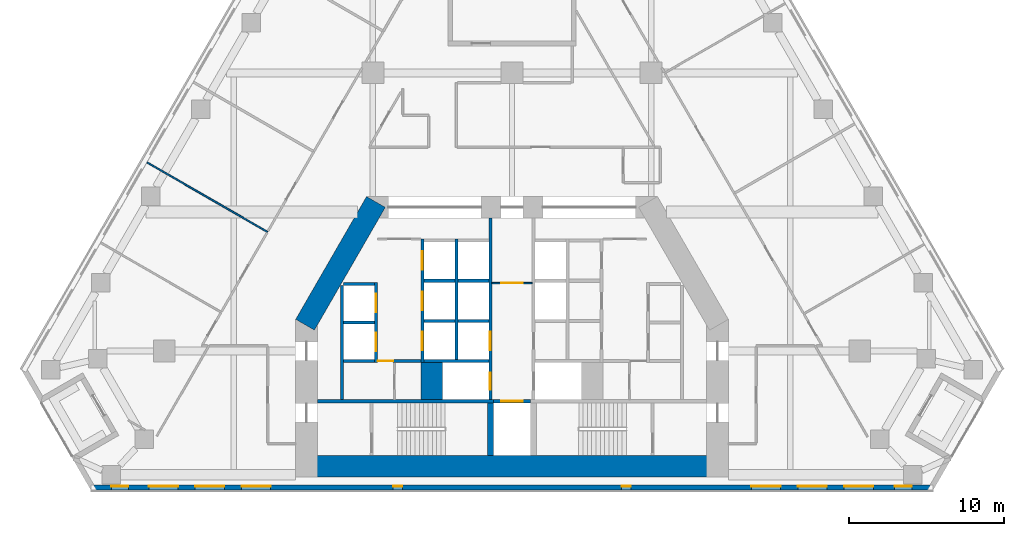
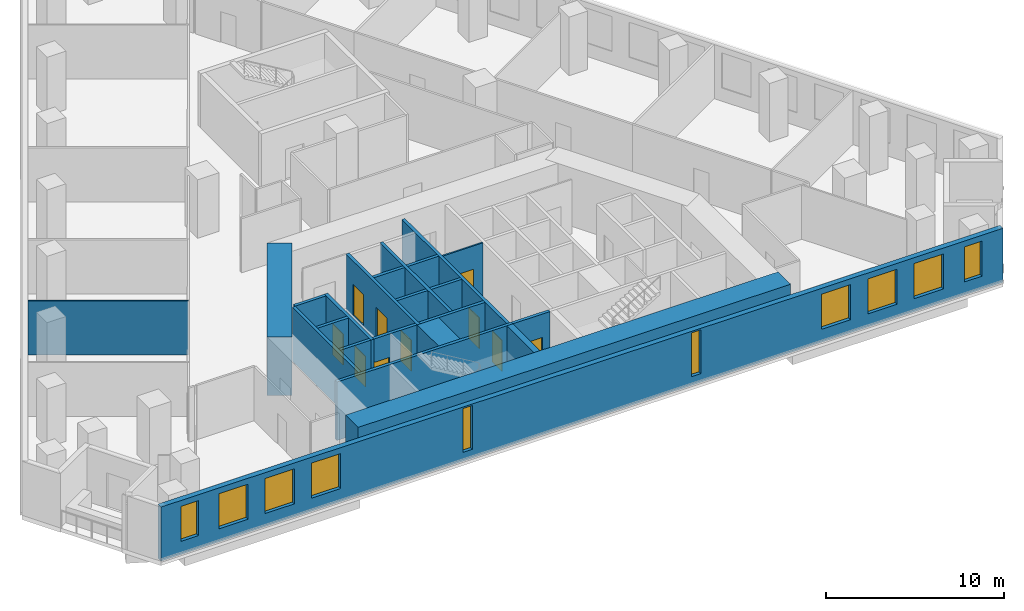
# One storey, part 4 of 11: 23 walls, 10 doors, 10 windows, 20 openings.
"""IFC4 building model written with IfcOpenShell, lengths in metres."""

import ifcopenshell
import ifcopenshell.guid

model = None  # the IFC model being written
_history = None  # IfcOwnerHistory: only IFC2X3 demands one
_inside = {}  # id of a spatial element -> (the spatial element, [elements in it])
_under = {}  # id of a project, library or spatial element -> (it, [spatial elements below it])
_declared = {}  # id of a project -> (the project, [libraries it declares])
_typed = {}  # id of a type object -> (the type object, [elements of that type])
_made_of = {}  # id of a material, layer set ... -> (it, [elements and type objects made of it])


def new_model(schema):
    """Start an empty IFC model of exactly this schema.

    Asked for "IFC4X3", IfcOpenShell would pick the latest addendum, in which some entities
    have other attributes; the version numbers below select the first issue.
    IFC2X3 requires an IfcOwnerHistory on every rooted entity: one is made here for all.
    """
    global model, _history
    if schema == "IFC4X3":
        model = ifcopenshell.file(schema_version=(4, 3, 0, 0))
    else:
        model = ifcopenshell.file(schema=schema)
    _inside.clear()
    _under.clear()
    _declared.clear()
    _typed.clear()
    _made_of.clear()
    _history = None
    if model.schema == "IFC2X3":
        org = make("IfcOrganization", Name="unknown")
        user = make(
            "IfcPersonAndOrganization",
            ThePerson=make("IfcPerson", FamilyName="unknown"),
            TheOrganization=org,
        )
        app = make(
            "IfcApplication",
            ApplicationDeveloper=org,
            Version="unknown",
            ApplicationFullName="unknown",
            ApplicationIdentifier="unknown",
        )
        _history = make(
            "IfcOwnerHistory",
            OwningUser=user,
            OwningApplication=app,
            ChangeAction="ADDED",
            CreationDate=0,
        )
    return model


def make(cls, **values):
    """One entity of the class cls with the attributes given. An attribute that is None is left unset."""
    return model.create_entity(
        cls, **{name: value for name, value in values.items() if value is not None}
    )


def rooted(cls, **values):
    """An entity with a GlobalId (a new one), such as an element, a storey or a relation."""
    return make(cls, GlobalId=ifcopenshell.guid.new(), OwnerHistory=_history, **values)


def si_unit(unit_type, name, prefix=None):
    """IfcSIUnit, for example si_unit("LENGTHUNIT", "METRE", prefix="MILLI")."""
    return make("IfcSIUnit", UnitType=unit_type, Prefix=prefix, Name=name)


def assignment(units):
    """IfcUnitAssignment: the units of a project."""
    return None if units is None else make("IfcUnitAssignment", Units=units)


def point(xyz):
    """IfcCartesianPoint."""
    return None if xyz is None else make("IfcCartesianPoint", Coordinates=xyz)


def direction(xyz):
    """IfcDirection."""
    return None if xyz is None else make("IfcDirection", DirectionRatios=xyz)


def frame(location, z_axis=None, x_axis=None):
    """IfcAxis2Placement3D, a coordinate frame: its origin and axes. An axis left out is left unset."""
    return make(
        "IfcAxis2Placement3D",
        Location=point(location),
        Axis=direction(z_axis),
        RefDirection=direction(x_axis),
    )


def frame_2d(location, x_axis=None):
    """IfcAxis2Placement2D, a coordinate frame in the plane: its origin and x axis."""
    return make(
        "IfcAxis2Placement2D", Location=point(location), RefDirection=direction(x_axis)
    )


def origin():
    """The frame at (0, 0, 0) with its axes left unset."""
    return frame((0.0, 0.0, 0.0))


def place(relative_to, where):
    """IfcLocalPlacement: puts the frame where relative to a parent placement (None: the world)."""
    return make(
        "IfcLocalPlacement", PlacementRelTo=relative_to, RelativePlacement=where
    )


def context(
    kind, dimensions, precision=None, world=None, true_north=None, identifier=None
):
    """IfcGeometricRepresentationContext, for example the 3D "Model" context."""
    return make(
        "IfcGeometricRepresentationContext",
        ContextIdentifier=identifier,
        ContextType=kind,
        CoordinateSpaceDimension=dimensions,
        Precision=precision,
        WorldCoordinateSystem=world,
        TrueNorth=true_north,
    )


def subcontext(parent, identifier, kind, view, scale=None):
    """IfcGeometricRepresentationSubContext, for example "Body" below "Model"."""
    return make(
        "IfcGeometricRepresentationSubContext",
        ContextIdentifier=identifier,
        ContextType=kind,
        ParentContext=parent,
        TargetScale=scale,
        TargetView=view,
    )


def project(units=None, contexts=None):
    """IfcProject with its units and contexts."""
    return rooted(
        "IfcProject",
        Name="project",
        RepresentationContexts=contexts,
        UnitsInContext=assignment(units),
    )


def spatial(cls, under=None, at=None, **own):
    """A site, building, storey or space (cls), placed at a placement, below another one or the project."""
    s = rooted(cls, ObjectPlacement=at, **own)
    if under is not None:
        _under.setdefault(under.id(), (under, []))[1].append(s)
    return s


def profile(cls, at=None, kind="AREA", **sizes):
    """A parametric profile (cls). Its sizes go by their IFC names, for example OverallWidth=200.0."""
    return make(cls, ProfileType=kind, Position=at, **sizes)


def rectangle(**sizes):
    """IfcRectangleProfileDef."""
    return profile("IfcRectangleProfileDef", **sizes)


def extrude(swept, where, along, depth):
    """IfcExtrudedAreaSolid: the profile swept, set in the frame where, extruded along a direction by depth."""
    return make(
        "IfcExtrudedAreaSolid",
        SweptArea=swept,
        Position=where,
        ExtrudedDirection=direction(along),
        Depth=depth,
    )


def shape(context_of_items, identifier, shape_type, items):
    """IfcShapeRepresentation: the items that make up one representation, for example the "Body"."""
    return make(
        "IfcShapeRepresentation",
        ContextOfItems=context_of_items,
        RepresentationIdentifier=identifier,
        RepresentationType=shape_type,
        Items=items,
    )


def material(Name=None, Category=None):
    """IfcMaterial."""
    return make("IfcMaterial", Name=Name, Category=Category)


def layer(
    of_material, thickness, ventilated=None, Name=None, Category=None, Priority=None
):
    """IfcMaterialLayer: one layer of a wall or slab, of a material (None: an air gap)."""
    return make(
        "IfcMaterialLayer",
        Material=of_material,
        LayerThickness=thickness,
        IsVentilated=ventilated,
        Name=Name,
        Category=Category,
        Priority=Priority,
    )


def layer_set(layers, Name=None):
    """IfcMaterialLayerSet."""
    return make("IfcMaterialLayerSet", MaterialLayers=layers, LayerSetName=Name)


def made_of(thing, what):
    """Note that an element or type object is made of a material, layer set ...; save() writes the relation."""
    if what is not None:
        _made_of.setdefault(what.id(), (what, []))[1].append(thing)
    return thing


def type_object(cls, material=None, **own):
    """A type object (cls), such as IfcWallType, which elements share."""
    return made_of(rooted(cls, **own), material)


def element(
    cls,
    number,
    at=None,
    inside=None,
    cuts=None,
    type_object=None,
    material=None,
    context=None,
    identifier="Body",
    shape_type=None,
    held_by="IfcProductDefinitionShape",
    body=None,
    shapes=None,
    **own,
):
    """One element of the class cls, such as IfcWall. Its Tag is "e" and its number.

    at: its placement. inside: the storey or other place that contains it. cuts: it is an
    opening in that element (IfcRelVoidsElement). A single representation is given by context,
    identifier, shape_type and body (its items); several are given by shapes. held_by: the class
    of the entity that holds the representations. save() writes the other relations.
    """
    e = rooted(cls, Tag="e%d" % number, ObjectPlacement=at, **own)
    if body is not None:
        shapes = [shape(context, identifier, shape_type, body)]
    if shapes is not None:
        e.Representation = make(held_by, Representations=shapes)
    if inside is not None:
        _inside.setdefault(inside.id(), (inside, []))[1].append(e)
    if cuts is not None:
        rooted(
            "IfcRelVoidsElement", RelatingBuildingElement=cuts, RelatedOpeningElement=e
        )
    if type_object is not None:
        _typed.setdefault(type_object.id(), (type_object, []))[1].append(e)
    return made_of(e, material)


def fill(opening, filler):
    """IfcRelFillsElement: the door or window that sits in an opening."""
    return rooted(
        "IfcRelFillsElement",
        RelatingOpeningElement=opening,
        RelatedBuildingElement=filler,
    )


def aggregate(whole, parts):
    """IfcRelAggregates: a whole, such as a stair, and the parts it consists of."""
    return rooted("IfcRelAggregates", RelatingObject=whole, RelatedObjects=parts)


def save(model, path):
    """Write the relations noted so far, then the file.

    IfcRelAggregates (storeys below a building ...), IfcRelContainedInSpatialStructure (elements
    in a storey), IfcRelDefinesByType, IfcRelAssociatesMaterial and IfcRelDeclares: one each for
    every whole, place, type object, material and project.
    """
    for whole, parts in _under.values():
        aggregate(whole, parts)
    for where, things in _inside.values():
        rooted(
            "IfcRelContainedInSpatialStructure",
            RelatedElements=things,
            RelatingStructure=where,
        )
    for kind, things in _typed.values():
        rooted("IfcRelDefinesByType", RelatedObjects=things, RelatingType=kind)
    for what, things in _made_of.values():
        rooted("IfcRelAssociatesMaterial", RelatedObjects=things, RelatingMaterial=what)
    for by, libraries in _declared.values():
        rooted("IfcRelDeclares", RelatingContext=by, RelatedDefinitions=libraries)
    model.write(path)


model = new_model("IFC4")

# Units and contexts
model_context = context("Model", 3, precision=1e-05, world=origin(), true_north=direction((0.0, 1.0)))
body_context = subcontext(model_context, "Body", "Model", "MODEL_VIEW")
ifc_project = project(units=[si_unit("LENGTHUNIT", "METRE"), si_unit("AREAUNIT", "SQUARE_METRE"), si_unit("VOLUMEUNIT", "CUBIC_METRE"), si_unit("PLANEANGLEUNIT", "RADIAN"), si_unit("MASSUNIT", "GRAM", prefix="KILO")], contexts=[model_context])

# Site, building, storey
site_placement = place(None, origin())
site = spatial("IfcSite", under=ifc_project, at=site_placement, CompositionType="ELEMENT")
building_placement = place(site_placement, origin())
building = spatial("IfcBuilding", under=site, at=building_placement, Name="Fogline Exchange Tower", CompositionType="ELEMENT")
storey_placement = place(building_placement, frame((0.0, 0.0, 60.89990234375)))
storey = spatial("IfcBuildingStorey", under=building, at=storey_placement, Name="L12", CompositionType="ELEMENT", Elevation=60.89990234375)

# Wall, opening, door
ifc_material_1 = material(Name="Blockwork partition", Category="masonry")
ifc_layer_1 = layer(ifc_material_1, 0.10009765625)
ifc_layer_set_1 = layer_set([ifc_layer_1], Name="CW10")
wall_type_1 = type_object("IfcWallType", Name="CW10", PredefinedType="PARTITIONING", material=ifc_layer_set_1)
wall_1_placement = place(storey_placement, frame((-1.300048828125, 13.39990234375, 0.0), z_axis=(0.0, 0.0, 1.0), x_axis=(1.0, 0.0, 0.0)))
wall_1 = element("IfcWall", 1, at=wall_1_placement, inside=storey, type_object=wall_type_1, Name="Lift lobby partition", PredefinedType="PARTITIONING", context=body_context, shape_type="SweptSolid", body=[
    extrude(rectangle(XDim=2.60009765625, YDim=0.10009765625, at=frame_2d((1.300048828125, 0.0))), origin(), (0.0, 0.0, 1.0), 3.7001953125),
])
opening_1_placement = place(wall_1_placement, frame((0.60009765625, 0.0, 0.0)))
opening_1 = element("IfcOpeningElement", 2, at=opening_1_placement, cuts=wall_1, Name="Opening T03-C019", PredefinedType="OPENING", context=body_context, shape_type="SweptSolid", body=[
    extrude(rectangle(XDim=1.39990234375, YDim=2.10009765625, at=frame_2d((0.699951171875, 1.050048828125))), frame((0.0, 0.06005859375, 0.0), z_axis=(0.0, -1.0, 0.0), x_axis=(1.0, 0.0, 0.0)), (0.0, 0.0, 1.0), 0.1201171875),
])
ifc_material_2 = material(Name="Steel and timber fire door", Category="steel")
door_type_1 = type_object("IfcDoorType", Name="D-LB1", OperationType="DOUBLE_DOOR_SINGLE_SWING", PredefinedType="DOOR", material=ifc_material_2)
door_1_placement = place(opening_1_placement, origin())
door_1 = element("IfcDoor", 3, at=door_1_placement, inside=storey, type_object=door_type_1, Name="Door to firefighting lift lobby", OperationType="DOUBLE_DOOR_SINGLE_SWING", OverallHeight=2.10009765625, OverallWidth=1.39990234375, PredefinedType="DOOR", context=body_context, shape_type="SweptSolid", body=[
    extrude(rectangle(XDim=1.39990234375, YDim=2.10009765625, at=frame_2d((0.699951171875, 1.050048828125))), frame((0.0, 0.02490234375, 0.0), z_axis=(0.0, -1.0, 0.0), x_axis=(1.0, 0.0, 0.0)), (0.0, 0.0, 1.0), 0.050048828125),
])
fill(opening_1, door_1)

# Walls
ifc_material_3 = material(Name="Concrete C60", Category="concrete")
ifc_layer_2 = layer(ifc_material_3, 1.39990234375)
ifc_layer_set_2 = layer_set([ifc_layer_2], Name="CW140")
wall_type_2 = type_object("IfcWallType", Name="CW140", PredefinedType="SOLIDWALL", material=ifc_layer_set_2)
wall_2_placement = place(storey_placement, frame((-5.199951171875, 5.85009765625, -0.2998046875), z_axis=(0.0, 0.0, 1.0), x_axis=(0.0, 1.0, 0.0)))
element("IfcWall", 4, at=wall_2_placement, inside=storey, type_object=wall_type_2, Name="Lift shaft block wall", PredefinedType="SOLIDWALL", context=body_context, shape_type="SweptSolid", body=[
    extrude(rectangle(XDim=2.39990234375, YDim=1.39990234375, at=frame_2d((1.199951171875, 0.0))), origin(), (0.0, 0.0, 1.0), 4.0),
])
ifc_material_4 = material(Name="Concrete C40", Category="concrete")
ifc_layer_3 = layer(ifc_material_4, 0.199951171875)
ifc_layer_set_3 = layer_set([ifc_layer_3], Name="CW20")
wall_type_3 = type_object("IfcWallType", Name="CW20", PredefinedType="SOLIDWALL", material=ifc_layer_set_3)
wall_3_placement = place(storey_placement, frame((-11.0, 5.85009765625, 0.0), z_axis=(0.0, 0.0, 1.0), x_axis=(0.0, 1.0, 0.0)))
element("IfcWall", 5, at=wall_3_placement, inside=storey, type_object=wall_type_3, Name="Service room wall", PredefinedType="SOLIDWALL", context=body_context, shape_type="SweptSolid", body=[
    extrude(rectangle(XDim=7.39990234375, YDim=0.199951171875, at=frame_2d((3.699951171875, 0.0))), origin(), (0.0, 0.0, 1.0), 3.7001953125),
])

# Wall, opening, door
wall_4_placement = place(storey_placement, frame((-8.699951171875, 8.35009765625, 0.0), z_axis=(0.0, 0.0, 1.0), x_axis=(1.0, 0.0, 0.0)))
wall_4 = element("IfcWall", 6, at=wall_4_placement, inside=storey, type_object=wall_type_3, Name="WC wall", PredefinedType="SOLIDWALL", context=body_context, shape_type="SweptSolid", body=[
    extrude(rectangle(XDim=2.800048828125, YDim=0.199951171875, at=frame_2d((1.39990234375, 0.0))), origin(), (0.0, 0.0, 1.0), 3.7001953125),
])
opening_2_placement = place(wall_4_placement, origin())
opening_2 = element("IfcOpeningElement", 7, at=opening_2_placement, cuts=wall_4, Name="Opening T03-C008", PredefinedType="OPENING", context=body_context, shape_type="SweptSolid", body=[
    extrude(rectangle(XDim=1.0, YDim=2.10009765625, at=frame_2d((0.5, 1.050048828125))), frame((0.0, 0.10986328125, 0.0), z_axis=(0.0, -1.0, 0.0), x_axis=(1.0, 0.0, 0.0)), (0.0, 0.0, 1.0), 0.219970703125),
])
door_type_2 = type_object("IfcDoorType", Name="D-WC1", OperationType="SINGLE_SWING_LEFT", PredefinedType="DOOR", material=ifc_material_2)
door_2_placement = place(opening_2_placement, frame((1.0, 0.0, 0.0), z_axis=(0.0, 0.0, 1.0), x_axis=(-1.0, 0.0, 0.0)))
door_2 = element("IfcDoor", 8, at=door_2_placement, inside=storey, type_object=door_type_2, Name="Door to Men's WC", OperationType="SINGLE_SWING_LEFT", OverallHeight=2.10009765625, OverallWidth=1.0, PredefinedType="DOOR", context=body_context, shape_type="SweptSolid", body=[
    extrude(rectangle(XDim=1.0, YDim=2.10009765625, at=frame_2d((0.5, 1.050048828125))), frame((0.0, 0.02490234375, 0.0), z_axis=(0.0, -1.0, 0.0), x_axis=(1.0, 0.0, 0.0)), (0.0, 0.0, 1.0), 0.050048828125),
])
fill(opening_2, door_2)

# Wall
ifc_layer_4 = layer(ifc_material_4, 0.199951171875)
ifc_layer_set_4 = layer_set([ifc_layer_4], Name="CW20R")
wall_type_4 = type_object("IfcWallType", Name="CW20R", PredefinedType="SOLIDWALL", material=ifc_layer_set_4)
wall_5_placement = place(storey_placement, frame((-12.60009765625, 5.75, -0.2998046875), z_axis=(0.0, 0.0, 1.0), x_axis=(1.0, 0.0, 0.0)))
element("IfcWall", 9, at=wall_5_placement, inside=storey, type_object=wall_type_4, Name="Stair enclosure wall", PredefinedType="SOLIDWALL", context=body_context, shape_type="SweptSolid", body=[
    extrude(rectangle(XDim=11.400146484375, YDim=0.199951171875, at=frame_2d((5.7001953125, 0.0))), origin(), (0.0, 0.0, 1.0), 4.0),
])

# Wall, opening, door
wall_6_placement = place(storey_placement, frame((-1.199951171875, 5.75, -0.2998046875), z_axis=(0.0, 0.0, 1.0), x_axis=(1.0, 0.0, 0.0)))
wall_6 = element("IfcWall", 10, at=wall_6_placement, inside=storey, type_object=wall_type_4, Name="Stair enclosure wall", PredefinedType="SOLIDWALL", context=body_context, shape_type="SweptSolid", body=[
    extrude(rectangle(XDim=2.39990234375, YDim=0.199951171875, at=frame_2d((1.199951171875, 0.0))), origin(), (0.0, 0.0, 1.0), 4.0),
])
opening_3_placement = place(wall_6_placement, frame((0.5, 0.0, 0.300048828125)))
opening_3 = element("IfcOpeningElement", 11, at=opening_3_placement, cuts=wall_6, Name="Opening T03-LD09", PredefinedType="OPENING", context=body_context, shape_type="SweptSolid", body=[
    extrude(rectangle(XDim=1.39990234375, YDim=2.10009765625, at=frame_2d((0.699951171875, 1.050048828125))), frame((0.0, 0.10986328125, 0.0), z_axis=(0.0, -1.0, 0.0), x_axis=(1.0, 0.0, 0.0)), (0.0, 0.0, 1.0), 0.219970703125),
])
door_type_3 = type_object("IfcDoorType", Name="LD3", OperationType="SLIDING_TO_LEFT", PredefinedType="DOOR", material=ifc_material_2)
door_3_placement = place(opening_3_placement, origin())
door_3 = element("IfcDoor", 12, at=door_3_placement, inside=storey, type_object=door_type_3, Name="Landing door GL1", OperationType="SLIDING_TO_LEFT", OverallHeight=2.10009765625, OverallWidth=1.39990234375, PredefinedType="DOOR", context=body_context, shape_type="SweptSolid", body=[
    extrude(rectangle(XDim=1.39990234375, YDim=2.10009765625, at=frame_2d((0.699951171875, 1.050048828125))), frame((0.0, 0.02490234375, 0.0), z_axis=(0.0, -1.0, 0.0), x_axis=(1.0, 0.0, 0.0)), (0.0, 0.0, 1.0), 0.050048828125),
])
fill(opening_3, door_3)

# Wall, openings, doors
ifc_layer_5 = layer(ifc_material_4, 0.199951171875)
ifc_layer_set_5 = layer_set([ifc_layer_5], Name="CW20S")
wall_type_5 = type_object("IfcWallType", Name="CW20S", PredefinedType="SOLIDWALL", material=ifc_layer_set_5)
wall_7_placement = place(storey_placement, frame((-8.800048828125, 8.25, -0.2998046875), z_axis=(0.0, 0.0, 1.0), x_axis=(0.0, 1.0, 0.0)))
wall_7 = element("IfcWall", 13, at=wall_7_placement, inside=storey, type_object=wall_type_5, Name="Lift shaft wall", PredefinedType="SOLIDWALL", context=body_context, shape_type="SweptSolid", body=[
    extrude(rectangle(XDim=5.199951171875, YDim=0.199951171875, at=frame_2d((2.60009765625, 0.0))), origin(), (0.0, 0.0, 1.0), 4.0),
])
opening_4_placement = place(wall_7_placement, frame((0.75, 0.0, 0.300048828125)))
opening_4 = element("IfcOpeningElement", 14, at=opening_4_placement, cuts=wall_7, Name="Opening T03-LD01", PredefinedType="OPENING", context=body_context, shape_type="SweptSolid", body=[
    extrude(rectangle(XDim=1.199951171875, YDim=2.10009765625, at=frame_2d((0.60009765625, 1.050048828125))), frame((0.0, 0.10986328125, 0.0), z_axis=(0.0, -1.0, 0.0), x_axis=(1.0, 0.0, 0.0)), (0.0, 0.0, 1.0), 0.219970703125),
])
opening_5_placement = place(wall_7_placement, frame((3.25, 0.0, 0.300048828125)))
opening_5 = element("IfcOpeningElement", 15, at=opening_5_placement, cuts=wall_7, Name="Opening T03-LD02", PredefinedType="OPENING", context=body_context, shape_type="SweptSolid", body=[
    extrude(rectangle(XDim=1.199951171875, YDim=2.10009765625, at=frame_2d((0.60009765625, 1.050048828125))), frame((0.0, 0.10986328125, 0.0), z_axis=(0.0, -1.0, 0.0), x_axis=(1.0, 0.0, 0.0)), (0.0, 0.0, 1.0), 0.219970703125),
])
door_type_4 = type_object("IfcDoorType", Name="LD1", OperationType="SLIDING_TO_LEFT", PredefinedType="DOOR", material=ifc_material_2)
door_4_placement = place(opening_4_placement, origin())
door_4 = element("IfcDoor", 16, at=door_4_placement, inside=storey, type_object=door_type_4, Name="Landing door LR1", OperationType="SLIDING_TO_LEFT", OverallHeight=2.10009765625, OverallWidth=1.199951171875, PredefinedType="DOOR", context=body_context, shape_type="SweptSolid", body=[
    extrude(rectangle(XDim=1.199951171875, YDim=2.10009765625, at=frame_2d((0.60009765625, 1.050048828125))), frame((0.0, 0.02490234375, 0.0), z_axis=(0.0, -1.0, 0.0), x_axis=(1.0, 0.0, 0.0)), (0.0, 0.0, 1.0), 0.050048828125),
])
fill(opening_4, door_4)
door_5_placement = place(opening_5_placement, origin())
door_5 = element("IfcDoor", 17, at=door_5_placement, inside=storey, type_object=door_type_4, Name="Landing door LR2", OperationType="SLIDING_TO_LEFT", OverallHeight=2.10009765625, OverallWidth=1.199951171875, PredefinedType="DOOR", context=body_context, shape_type="SweptSolid", body=[
    extrude(rectangle(XDim=1.199951171875, YDim=2.10009765625, at=frame_2d((0.60009765625, 1.050048828125))), frame((0.0, 0.02490234375, 0.0), z_axis=(0.0, -1.0, 0.0), x_axis=(1.0, 0.0, 0.0)), (0.0, 0.0, 1.0), 0.050048828125),
])
fill(opening_5, door_5)

wall_8_placement = place(storey_placement, frame((-5.800048828125, 8.25, -0.2998046875), z_axis=(0.0, 0.0, 1.0), x_axis=(0.0, 1.0, 0.0)))
wall_8 = element("IfcWall", 18, at=wall_8_placement, inside=storey, type_object=wall_type_5, Name="Lift shaft wall", PredefinedType="SOLIDWALL", context=body_context, shape_type="SweptSolid", body=[
    extrude(rectangle(XDim=8.0, YDim=0.199951171875, at=frame_2d((4.0, 0.0))), origin(), (0.0, 0.0, 1.0), 4.0),
])
opening_6_placement = place(wall_8_placement, frame((0.800048828125, 0.0, 0.300048828125)))
opening_6 = element("IfcOpeningElement", 19, at=opening_6_placement, cuts=wall_8, Name="Opening T03-LD03", PredefinedType="OPENING", context=body_context, shape_type="SweptSolid", body=[
    extrude(rectangle(XDim=1.199951171875, YDim=2.10009765625, at=frame_2d((0.60009765625, 1.050048828125))), frame((0.0, 0.10986328125, 0.0), z_axis=(0.0, -1.0, 0.0), x_axis=(1.0, 0.0, 0.0)), (0.0, 0.0, 1.0), 0.219970703125),
])
opening_7_placement = place(wall_8_placement, frame((3.39990234375, 0.0, 0.300048828125)))
opening_7 = element("IfcOpeningElement", 20, at=opening_7_placement, cuts=wall_8, Name="Opening T03-LD04", PredefinedType="OPENING", context=body_context, shape_type="SweptSolid", body=[
    extrude(rectangle(XDim=1.199951171875, YDim=2.10009765625, at=frame_2d((0.60009765625, 1.050048828125))), frame((0.0, 0.10986328125, 0.0), z_axis=(0.0, -1.0, 0.0), x_axis=(1.0, 0.0, 0.0)), (0.0, 0.0, 1.0), 0.219970703125),
])
opening_8_placement = place(wall_8_placement, frame((6.0, 0.0, 0.300048828125)))
opening_8 = element("IfcOpeningElement", 21, at=opening_8_placement, cuts=wall_8, Name="Opening T03-LD05", PredefinedType="OPENING", context=body_context, shape_type="SweptSolid", body=[
    extrude(rectangle(XDim=1.199951171875, YDim=2.10009765625, at=frame_2d((0.60009765625, 1.050048828125))), frame((0.0, 0.10986328125, 0.0), z_axis=(0.0, -1.0, 0.0), x_axis=(1.0, 0.0, 0.0)), (0.0, 0.0, 1.0), 0.219970703125),
])
door_6_placement = place(opening_6_placement, origin())
door_6 = element("IfcDoor", 22, at=door_6_placement, inside=storey, type_object=door_type_4, Name="Landing door LR3", OperationType="SLIDING_TO_LEFT", OverallHeight=2.10009765625, OverallWidth=1.199951171875, PredefinedType="DOOR", context=body_context, shape_type="SweptSolid", body=[
    extrude(rectangle(XDim=1.199951171875, YDim=2.10009765625, at=frame_2d((0.60009765625, 1.050048828125))), frame((0.0, 0.02490234375, 0.0), z_axis=(0.0, -1.0, 0.0), x_axis=(1.0, 0.0, 0.0)), (0.0, 0.0, 1.0), 0.050048828125),
])
fill(opening_6, door_6)
door_7_placement = place(opening_7_placement, origin())
door_7 = element("IfcDoor", 23, at=door_7_placement, inside=storey, type_object=door_type_4, Name="Landing door LR4", OperationType="SLIDING_TO_LEFT", OverallHeight=2.10009765625, OverallWidth=1.199951171875, PredefinedType="DOOR", context=body_context, shape_type="SweptSolid", body=[
    extrude(rectangle(XDim=1.199951171875, YDim=2.10009765625, at=frame_2d((0.60009765625, 1.050048828125))), frame((0.0, 0.02490234375, 0.0), z_axis=(0.0, -1.0, 0.0), x_axis=(1.0, 0.0, 0.0)), (0.0, 0.0, 1.0), 0.050048828125),
])
fill(opening_7, door_7)
door_8_placement = place(opening_8_placement, origin())
door_8 = element("IfcDoor", 24, at=door_8_placement, inside=storey, type_object=door_type_4, Name="Landing door LR5", OperationType="SLIDING_TO_LEFT", OverallHeight=2.10009765625, OverallWidth=1.199951171875, PredefinedType="DOOR", context=body_context, shape_type="SweptSolid", body=[
    extrude(rectangle(XDim=1.199951171875, YDim=2.10009765625, at=frame_2d((0.60009765625, 1.050048828125))), frame((0.0, 0.02490234375, 0.0), z_axis=(0.0, -1.0, 0.0), x_axis=(1.0, 0.0, 0.0)), (0.0, 0.0, 1.0), 0.050048828125),
])
fill(opening_8, door_8)

# Wall
wall_9_placement = place(storey_placement, frame((-3.60009765625, 8.449951171875, -0.2998046875), z_axis=(0.0, 0.0, 1.0), x_axis=(0.0, 1.0, 0.0)))
element("IfcWall", 25, at=wall_9_placement, inside=storey, type_object=wall_type_5, Name="Lift shaft wall", PredefinedType="SOLIDWALL", context=body_context, shape_type="SweptSolid", body=[
    extrude(rectangle(XDim=7.800048828125, YDim=0.199951171875, at=frame_2d((3.89990234375, 0.0))), origin(), (0.0, 0.0, 1.0), 4.0),
])

# Wall, openings, doors
wall_10_placement = place(storey_placement, frame((-1.39990234375, 5.85009765625, -0.2998046875), z_axis=(0.0, 0.0, 1.0), x_axis=(0.0, 1.0, 0.0)))
wall_10 = element("IfcWall", 26, at=wall_10_placement, inside=storey, type_object=wall_type_5, Name="Lift lobby wall", PredefinedType="SOLIDWALL", context=body_context, shape_type="SweptSolid", body=[
    extrude(rectangle(XDim=11.75, YDim=0.199951171875, at=frame_2d((5.875, 0.0))), origin(), (0.0, 0.0, 1.0), 4.0),
])
opening_9_placement = place(wall_10_placement, frame((3.199951171875, 0.0, 0.300048828125)))
opening_9 = element("IfcOpeningElement", 27, at=opening_9_placement, cuts=wall_10, Name="Opening T03-LD06", PredefinedType="OPENING", context=body_context, shape_type="SweptSolid", body=[
    extrude(rectangle(XDim=1.199951171875, YDim=2.10009765625, at=frame_2d((0.60009765625, 1.050048828125))), frame((0.0, 0.10986328125, 0.0), z_axis=(0.0, -1.0, 0.0), x_axis=(1.0, 0.0, 0.0)), (0.0, 0.0, 1.0), 0.219970703125),
])
opening_10_placement = place(wall_10_placement, frame((0.64990234375, 0.0, 0.300048828125)))
opening_10 = element("IfcOpeningElement", 28, at=opening_10_placement, cuts=wall_10, Name="Opening T03-LD07", PredefinedType="OPENING", context=body_context, shape_type="SweptSolid", body=[
    extrude(rectangle(XDim=1.10009765625, YDim=2.10009765625, at=frame_2d((0.550048828125, 1.050048828125))), frame((0.0, 0.10986328125, 0.0), z_axis=(0.0, -1.0, 0.0), x_axis=(1.0, 0.0, 0.0)), (0.0, 0.0, 1.0), 0.219970703125),
])
door_9_placement = place(opening_9_placement, origin())
door_9 = element("IfcDoor", 29, at=door_9_placement, inside=storey, type_object=door_type_4, Name="Landing door LR6", OperationType="SLIDING_TO_LEFT", OverallHeight=2.10009765625, OverallWidth=1.199951171875, PredefinedType="DOOR", context=body_context, shape_type="SweptSolid", body=[
    extrude(rectangle(XDim=1.199951171875, YDim=2.10009765625, at=frame_2d((0.60009765625, 1.050048828125))), frame((0.0, 0.02490234375, 0.0), z_axis=(0.0, -1.0, 0.0), x_axis=(1.0, 0.0, 0.0)), (0.0, 0.0, 1.0), 0.050048828125),
])
fill(opening_9, door_9)
door_type_5 = type_object("IfcDoorType", Name="LD2", OperationType="SLIDING_TO_RIGHT", PredefinedType="DOOR", material=ifc_material_2)
door_10_placement = place(opening_10_placement, origin())
door_10 = element("IfcDoor", 30, at=door_10_placement, inside=storey, type_object=door_type_5, Name="Landing door FF1", OperationType="SLIDING_TO_RIGHT", OverallHeight=2.10009765625, OverallWidth=1.10009765625, PredefinedType="DOOR", context=body_context, shape_type="SweptSolid", body=[
    extrude(rectangle(XDim=1.10009765625, YDim=2.10009765625, at=frame_2d((0.550048828125, 1.050048828125))), frame((0.0, 0.02490234375, 0.0), z_axis=(0.0, -1.0, 0.0), x_axis=(1.0, 0.0, 0.0)), (0.0, 0.0, 1.0), 0.050048828125),
])
fill(opening_10, door_10)

# Walls
wall_11_placement = place(storey_placement, frame((-10.89990234375, 8.35009765625, -0.2998046875), z_axis=(0.0, 0.0, 1.0), x_axis=(1.0, 0.0, 0.0)))
element("IfcWall", 31, at=wall_11_placement, inside=storey, type_object=wall_type_5, Name="Lift shaft wall", PredefinedType="SOLIDWALL", context=body_context, shape_type="SweptSolid", body=[
    extrude(rectangle(XDim=2.0, YDim=0.199951171875, at=frame_2d((1.0, 0.0))), origin(), (0.0, 0.0, 1.0), 4.0),
])
wall_12_placement = place(storey_placement, frame((-5.699951171875, 8.35009765625, -0.2998046875), z_axis=(0.0, 0.0, 1.0), x_axis=(1.0, 0.0, 0.0)))
element("IfcWall", 32, at=wall_12_placement, inside=storey, type_object=wall_type_5, Name="Lift shaft wall", PredefinedType="SOLIDWALL", context=body_context, shape_type="SweptSolid", body=[
    extrude(rectangle(XDim=4.199951171875, YDim=0.199951171875, at=frame_2d((2.10009765625, 0.0))), origin(), (0.0, 0.0, 1.0), 4.0),
])
for number, where, z_axis, x_axis, name in (
    (33, (-10.89990234375, 10.85009765625, -0.2998046875), (0.0, 0.0, 1.0), (1.0, 0.0, 0.0), "Lift shaft wall"),
    (34, (-10.89990234375, 13.35009765625, -0.2998046875), (0.0, 0.0, 1.0), (1.0, 0.0, 0.0), "Lift shaft wall"),
    (35, (-5.699951171875, 10.949951171875, -0.2998046875), (0.0, 0.0, 1.0), (1.0, 0.0, 0.0), "Lift shaft wall"),
    (36, (-5.699951171875, 13.550048828125, -0.2998046875), (0.0, 0.0, 1.0), (1.0, 0.0, 0.0), "Lift shaft wall"),
    (37, (-3.5, 10.949951171875, -0.2998046875), (0.0, 0.0, 1.0), (1.0, 0.0, 0.0), "Lift shaft wall"),
    (38, (-3.5, 13.550048828125, -0.2998046875), (0.0, 0.0, 1.0), (1.0, 0.0, 0.0), "Lift shaft wall"),
):
    element("IfcWall", number, at=place(storey_placement, frame(where, z_axis=z_axis, x_axis=x_axis)), inside=storey, type_object=wall_type_5, Name=name, PredefinedType="SOLIDWALL", context=body_context, shape_type="SweptSolid", body=[
        extrude(rectangle(XDim=2.0, YDim=0.199951171875, at=frame_2d((1.0, 0.0))), origin(), (0.0, 0.0, 1.0), 4.0),
    ])
ifc_layer_6 = layer(ifc_material_4, 0.39990234375)
ifc_layer_set_6 = layer_set([ifc_layer_6], Name="CW40R")
wall_type_6 = type_object("IfcWallType", Name="CW40R", PredefinedType="SOLIDWALL", material=ifc_layer_set_6)
wall_13_placement = place(storey_placement, frame((-1.39990234375, 2.25, -0.2998046875), z_axis=(0.0, 0.0, 1.0), x_axis=(0.0, 1.0, 0.0)))
element("IfcWall", 39, at=wall_13_placement, inside=storey, type_object=wall_type_6, Name="Stair and lift shaft wall", PredefinedType="SOLIDWALL", context=body_context, shape_type="SweptSolid", body=[
    extrude(rectangle(XDim=3.39990234375, YDim=0.39990234375, at=frame_2d((1.699951171875, 0.0))), origin(), (0.0, 0.0, 1.0), 4.0),
])

# Wall, openings, windows
ifc_material_5 = material(Name="Brick masonry", Category="masonry")
ifc_layer_7 = layer(ifc_material_5, 0.340087890625)
ifc_layer_set_7 = layer_set([ifc_layer_7], Name="FW1")
wall_type_7 = type_object("IfcWallType", Name="FW1", PredefinedType="SOLIDWALL", material=ifc_layer_set_7)
wall_14_placement = place(storey_placement, frame((-27.255126953125, 0.169921875, 0.0), z_axis=(0.0, 0.0, 1.0), x_axis=(1.0, 0.0, 0.0)))
wall_14 = element("IfcWall", 40, at=wall_14_placement, inside=storey, type_object=wall_type_7, Name="Brick wall L12 S", PredefinedType="SOLIDWALL", context=body_context, shape_type="SweptSolid", body=[
    extrude(rectangle(XDim=54.51025390625, YDim=0.340087890625, at=frame_2d((27.255126953125, 0.0))), origin(), (0.0, 0.0, 1.0), 3.7001953125),
])
opening_11_placement = place(wall_14_placement, frame((3.755126953125, 0.0, 0.89990234375)))
opening_11 = element("IfcOpeningElement", 41, at=opening_11_placement, cuts=wall_14, Name="Opening W1", PredefinedType="OPENING", context=body_context, shape_type="SweptSolid", body=[
    extrude(rectangle(XDim=1.885009765625, YDim=2.39990234375, at=frame_2d((0.9423828125, 1.199951171875))), frame((0.0, 0.18017578125, 0.0), z_axis=(0.0, -1.0, 0.0), x_axis=(1.0, 0.0, 0.0)), (0.0, 0.0, 1.0), 0.360107421875),
])
opening_12_placement = place(wall_14_placement, frame((6.755126953125, 0.0, 0.89990234375)))
opening_12 = element("IfcOpeningElement", 42, at=opening_12_placement, cuts=wall_14, Name="Opening W1", PredefinedType="OPENING", context=body_context, shape_type="SweptSolid", body=[
    extrude(rectangle(XDim=1.885009765625, YDim=2.39990234375, at=frame_2d((0.9423828125, 1.199951171875))), frame((0.0, 0.18017578125, 0.0), z_axis=(0.0, -1.0, 0.0), x_axis=(1.0, 0.0, 0.0)), (0.0, 0.0, 1.0), 0.360107421875),
])
opening_13_placement = place(wall_14_placement, frame((9.755126953125, 0.0, 0.89990234375)))
opening_13 = element("IfcOpeningElement", 43, at=opening_13_placement, cuts=wall_14, Name="Opening W1", PredefinedType="OPENING", context=body_context, shape_type="SweptSolid", body=[
    extrude(rectangle(XDim=1.885009765625, YDim=2.39990234375, at=frame_2d((0.9423828125, 1.199951171875))), frame((0.0, 0.18017578125, 0.0), z_axis=(0.0, -1.0, 0.0), x_axis=(1.0, 0.0, 0.0)), (0.0, 0.0, 1.0), 0.360107421875),
])
opening_14_placement = place(wall_14_placement, frame((42.755126953125, 0.0, 0.89990234375)))
opening_14 = element("IfcOpeningElement", 44, at=opening_14_placement, cuts=wall_14, Name="Opening W1", PredefinedType="OPENING", context=body_context, shape_type="SweptSolid", body=[
    extrude(rectangle(XDim=1.885009765625, YDim=2.39990234375, at=frame_2d((0.9423828125, 1.199951171875))), frame((0.0, 0.18017578125, 0.0), z_axis=(0.0, -1.0, 0.0), x_axis=(1.0, 0.0, 0.0)), (0.0, 0.0, 1.0), 0.360107421875),
])
opening_15_placement = place(wall_14_placement, frame((45.755126953125, 0.0, 0.89990234375)))
opening_15 = element("IfcOpeningElement", 45, at=opening_15_placement, cuts=wall_14, Name="Opening W1", PredefinedType="OPENING", context=body_context, shape_type="SweptSolid", body=[
    extrude(rectangle(XDim=1.885009765625, YDim=2.39990234375, at=frame_2d((0.9423828125, 1.199951171875))), frame((0.0, 0.18017578125, 0.0), z_axis=(0.0, -1.0, 0.0), x_axis=(1.0, 0.0, 0.0)), (0.0, 0.0, 1.0), 0.360107421875),
])
opening_16_placement = place(wall_14_placement, frame((48.755126953125, 0.0, 0.89990234375)))
opening_16 = element("IfcOpeningElement", 46, at=opening_16_placement, cuts=wall_14, Name="Opening W1", PredefinedType="OPENING", context=body_context, shape_type="SweptSolid", body=[
    extrude(rectangle(XDim=1.885009765625, YDim=2.39990234375, at=frame_2d((0.9423828125, 1.199951171875))), frame((0.0, 0.18017578125, 0.0), z_axis=(0.0, -1.0, 0.0), x_axis=(1.0, 0.0, 0.0)), (0.0, 0.0, 1.0), 0.360107421875),
])
opening_17_placement = place(wall_14_placement, frame((1.320068359375, 0.0, 0.89990234375)))
opening_17 = element("IfcOpeningElement", 47, at=opening_17_placement, cuts=wall_14, Name="Opening W4", PredefinedType="OPENING", context=body_context, shape_type="SweptSolid", body=[
    extrude(rectangle(XDim=1.114990234375, YDim=2.39990234375, at=frame_2d((0.5576171875, 1.199951171875))), frame((0.0, 0.18017578125, 0.0), z_axis=(0.0, -1.0, 0.0), x_axis=(1.0, 0.0, 0.0)), (0.0, 0.0, 1.0), 0.360107421875),
])
opening_18_placement = place(wall_14_placement, frame((52.017822265625, 0.0, 0.89990234375)))
opening_18 = element("IfcOpeningElement", 48, at=opening_18_placement, cuts=wall_14, Name="Opening W4", PredefinedType="OPENING", context=body_context, shape_type="SweptSolid", body=[
    extrude(rectangle(XDim=1.114990234375, YDim=2.39990234375, at=frame_2d((0.5576171875, 1.199951171875))), frame((0.0, 0.18017578125, 0.0), z_axis=(0.0, -1.0, 0.0), x_axis=(1.0, 0.0, 0.0)), (0.0, 0.0, 1.0), 0.360107421875),
])
opening_19_placement = place(wall_14_placement, frame((19.55517578125, 0.0, 0.60009765625)))
opening_19 = element("IfcOpeningElement", 49, at=opening_19_placement, cuts=wall_14, Name="Opening W5", PredefinedType="OPENING", context=body_context, shape_type="SweptSolid", body=[
    extrude(rectangle(XDim=0.60009765625, YDim=3.0, at=frame_2d((0.300048828125, 1.5))), frame((0.0, 0.18017578125, 0.0), z_axis=(0.0, -1.0, 0.0), x_axis=(1.0, 0.0, 0.0)), (0.0, 0.0, 1.0), 0.360107421875),
])
opening_20_placement = place(wall_14_placement, frame((34.355224609375, 0.0, 0.60009765625)))
opening_20 = element("IfcOpeningElement", 50, at=opening_20_placement, cuts=wall_14, Name="Opening W5", PredefinedType="OPENING", context=body_context, shape_type="SweptSolid", body=[
    extrude(rectangle(XDim=0.60009765625, YDim=3.0, at=frame_2d((0.300048828125, 1.5))), frame((0.0, 0.18017578125, 0.0), z_axis=(0.0, -1.0, 0.0), x_axis=(1.0, 0.0, 0.0)), (0.0, 0.0, 1.0), 0.360107421875),
])
ifc_material_6 = material(Name="Aluminium and glass", Category="aluminium")
window_type_1 = type_object("IfcWindowType", Name="W1", PartitioningType="SINGLE_PANEL", PredefinedType="WINDOW", material=ifc_material_6)
window_1_placement = place(opening_11_placement, origin())
window_1 = element("IfcWindow", 51, at=window_1_placement, inside=storey, type_object=window_type_1, Name="W1 W1", OverallHeight=2.39990234375, OverallWidth=1.885009765625, PartitioningType="SINGLE_PANEL", PredefinedType="WINDOW", context=body_context, shape_type="SweptSolid", body=[
    extrude(rectangle(XDim=1.885009765625, YDim=2.39990234375, at=frame_2d((0.9423828125, 1.199951171875))), frame((0.0, 0.110107421875, 0.0), z_axis=(0.0, -1.0, 0.0), x_axis=(1.0, 0.0, 0.0)), (0.0, 0.0, 1.0), 0.06005859375),
])
fill(opening_11, window_1)
window_2_placement = place(opening_12_placement, origin())
window_2 = element("IfcWindow", 52, at=window_2_placement, inside=storey, type_object=window_type_1, Name="W1 W1", OverallHeight=2.39990234375, OverallWidth=1.885009765625, PartitioningType="SINGLE_PANEL", PredefinedType="WINDOW", context=body_context, shape_type="SweptSolid", body=[
    extrude(rectangle(XDim=1.885009765625, YDim=2.39990234375, at=frame_2d((0.9423828125, 1.199951171875))), frame((0.0, 0.110107421875, 0.0), z_axis=(0.0, -1.0, 0.0), x_axis=(1.0, 0.0, 0.0)), (0.0, 0.0, 1.0), 0.06005859375),
])
fill(opening_12, window_2)
window_3_placement = place(opening_13_placement, origin())
window_3 = element("IfcWindow", 53, at=window_3_placement, inside=storey, type_object=window_type_1, Name="W1 W1", OverallHeight=2.39990234375, OverallWidth=1.885009765625, PartitioningType="SINGLE_PANEL", PredefinedType="WINDOW", context=body_context, shape_type="SweptSolid", body=[
    extrude(rectangle(XDim=1.885009765625, YDim=2.39990234375, at=frame_2d((0.9423828125, 1.199951171875))), frame((0.0, 0.110107421875, 0.0), z_axis=(0.0, -1.0, 0.0), x_axis=(1.0, 0.0, 0.0)), (0.0, 0.0, 1.0), 0.06005859375),
])
fill(opening_13, window_3)
window_4_placement = place(opening_14_placement, origin())
window_4 = element("IfcWindow", 54, at=window_4_placement, inside=storey, type_object=window_type_1, Name="W1 W1", OverallHeight=2.39990234375, OverallWidth=1.885009765625, PartitioningType="SINGLE_PANEL", PredefinedType="WINDOW", context=body_context, shape_type="SweptSolid", body=[
    extrude(rectangle(XDim=1.885009765625, YDim=2.39990234375, at=frame_2d((0.9423828125, 1.199951171875))), frame((0.0, 0.110107421875, 0.0), z_axis=(0.0, -1.0, 0.0), x_axis=(1.0, 0.0, 0.0)), (0.0, 0.0, 1.0), 0.06005859375),
])
fill(opening_14, window_4)
window_5_placement = place(opening_15_placement, origin())
window_5 = element("IfcWindow", 55, at=window_5_placement, inside=storey, type_object=window_type_1, Name="W1 W1", OverallHeight=2.39990234375, OverallWidth=1.885009765625, PartitioningType="SINGLE_PANEL", PredefinedType="WINDOW", context=body_context, shape_type="SweptSolid", body=[
    extrude(rectangle(XDim=1.885009765625, YDim=2.39990234375, at=frame_2d((0.9423828125, 1.199951171875))), frame((0.0, 0.110107421875, 0.0), z_axis=(0.0, -1.0, 0.0), x_axis=(1.0, 0.0, 0.0)), (0.0, 0.0, 1.0), 0.06005859375),
])
fill(opening_15, window_5)
window_6_placement = place(opening_16_placement, origin())
window_6 = element("IfcWindow", 56, at=window_6_placement, inside=storey, type_object=window_type_1, Name="W1 W1", OverallHeight=2.39990234375, OverallWidth=1.885009765625, PartitioningType="SINGLE_PANEL", PredefinedType="WINDOW", context=body_context, shape_type="SweptSolid", body=[
    extrude(rectangle(XDim=1.885009765625, YDim=2.39990234375, at=frame_2d((0.9423828125, 1.199951171875))), frame((0.0, 0.110107421875, 0.0), z_axis=(0.0, -1.0, 0.0), x_axis=(1.0, 0.0, 0.0)), (0.0, 0.0, 1.0), 0.06005859375),
])
fill(opening_16, window_6)
window_type_2 = type_object("IfcWindowType", Name="W4", PartitioningType="SINGLE_PANEL", PredefinedType="WINDOW", material=ifc_material_6)
window_7_placement = place(opening_17_placement, origin())
window_7 = element("IfcWindow", 57, at=window_7_placement, inside=storey, type_object=window_type_2, Name="W4 W4", OverallHeight=2.39990234375, OverallWidth=1.114990234375, PartitioningType="SINGLE_PANEL", PredefinedType="WINDOW", context=body_context, shape_type="SweptSolid", body=[
    extrude(rectangle(XDim=1.114990234375, YDim=2.39990234375, at=frame_2d((0.5576171875, 1.199951171875))), frame((0.0, 0.110107421875, 0.0), z_axis=(0.0, -1.0, 0.0), x_axis=(1.0, 0.0, 0.0)), (0.0, 0.0, 1.0), 0.06005859375),
])
fill(opening_17, window_7)
window_8_placement = place(opening_18_placement, origin())
window_8 = element("IfcWindow", 58, at=window_8_placement, inside=storey, type_object=window_type_2, Name="W4 W4", OverallHeight=2.39990234375, OverallWidth=1.114990234375, PartitioningType="SINGLE_PANEL", PredefinedType="WINDOW", context=body_context, shape_type="SweptSolid", body=[
    extrude(rectangle(XDim=1.114990234375, YDim=2.39990234375, at=frame_2d((0.5576171875, 1.199951171875))), frame((0.0, 0.110107421875, 0.0), z_axis=(0.0, -1.0, 0.0), x_axis=(1.0, 0.0, 0.0)), (0.0, 0.0, 1.0), 0.06005859375),
])
fill(opening_18, window_8)
window_type_3 = type_object("IfcWindowType", Name="W5", PartitioningType="SINGLE_PANEL", PredefinedType="WINDOW", material=ifc_material_6)
window_9_placement = place(opening_19_placement, origin())
window_9 = element("IfcWindow", 59, at=window_9_placement, inside=storey, type_object=window_type_3, Name="W5 W5", OverallHeight=3.0, OverallWidth=0.60009765625, PartitioningType="SINGLE_PANEL", PredefinedType="WINDOW", context=body_context, shape_type="SweptSolid", body=[
    extrude(rectangle(XDim=0.60009765625, YDim=3.0, at=frame_2d((0.300048828125, 1.5))), frame((0.0, 0.110107421875, 0.0), z_axis=(0.0, -1.0, 0.0), x_axis=(1.0, 0.0, 0.0)), (0.0, 0.0, 1.0), 0.06005859375),
])
fill(opening_19, window_9)
window_10_placement = place(opening_20_placement, origin())
window_10 = element("IfcWindow", 60, at=window_10_placement, inside=storey, type_object=window_type_3, Name="W5 W5", OverallHeight=3.0, OverallWidth=0.60009765625, PartitioningType="SINGLE_PANEL", PredefinedType="WINDOW", context=body_context, shape_type="SweptSolid", body=[
    extrude(rectangle(XDim=0.60009765625, YDim=3.0, at=frame_2d((0.300048828125, 1.5))), frame((0.0, 0.110107421875, 0.0), z_axis=(0.0, -1.0, 0.0), x_axis=(1.0, 0.0, 0.0)), (0.0, 0.0, 1.0), 0.06005859375),
])
fill(opening_20, window_10)

# Walls
ifc_material_7 = material(Name="Plasterboard partition, 2 layers each side on steel studs", Category="steel")
ifc_layer_8 = layer(ifc_material_7, 0.10009765625)
ifc_layer_set_8 = layer_set([ifc_layer_8], Name="PW1")
wall_type_8 = type_object("IfcWallType", Name="PW1", PredefinedType="PARTITIONING", material=ifc_layer_set_8)
wall_15_placement = place(storey_placement, frame((-15.823974609375, 16.7080078125, 0.0), z_axis=(0.0, 0.0, 1.0), x_axis=(-0.866024315419, 0.5000018851, 0.0)))
element("IfcWall", 61, at=wall_15_placement, inside=storey, type_object=wall_type_8, Name="wall-L12-W051", PredefinedType="PARTITIONING", context=body_context, shape_type="SweptSolid", body=[
    extrude(rectangle(XDim=9.0, YDim=0.10009765625, at=frame_2d((4.5, 0.0))), origin(), (0.0, 0.0, 1.0), 3.7001953125),
])
ifc_layer_9 = layer(ifc_material_3, 1.39990234375)
ifc_layer_set_9 = layer_set([ifc_layer_9], Name="SW01")
wall_type_9 = type_object("IfcWallType", Name="SW01", PredefinedType="SHEAR", material=ifc_layer_set_9)
wall_16_placement = place(storey_placement, frame((-14.0, 1.550048828125, 0.0), z_axis=(0.0, 0.0, 1.0), x_axis=(1.0, 0.0, 0.0)))
element("IfcWall", 62, at=wall_16_placement, inside=storey, type_object=wall_type_9, Name="L12-W901", PredefinedType="SHEAR", context=body_context, shape_type="SweptSolid", body=[
    extrude(rectangle(XDim=28.0, YDim=1.39990234375, at=frame_2d((14.0, 0.0))), origin(), (0.0, 0.0, 1.0), 4.0),
])
wall_17_placement = place(storey_placement, frame((-8.805419921875, 18.64990234375, 0.0), z_axis=(0.0, 0.0, 1.0), x_axis=(-0.50000187635, -0.866024320471, 0.0)))
element("IfcWall", 63, at=wall_17_placement, inside=storey, type_object=wall_type_9, Name="L12-W905", PredefinedType="SHEAR", context=body_context, shape_type="SweptSolid", body=[
    extrude(rectangle(XDim=9.1767578125, YDim=1.39990234375, at=frame_2d((4.58837890625, 0.0))), origin(), (0.0, 0.0, 1.0), 4.0),
])

save(model, "model.ifc")
